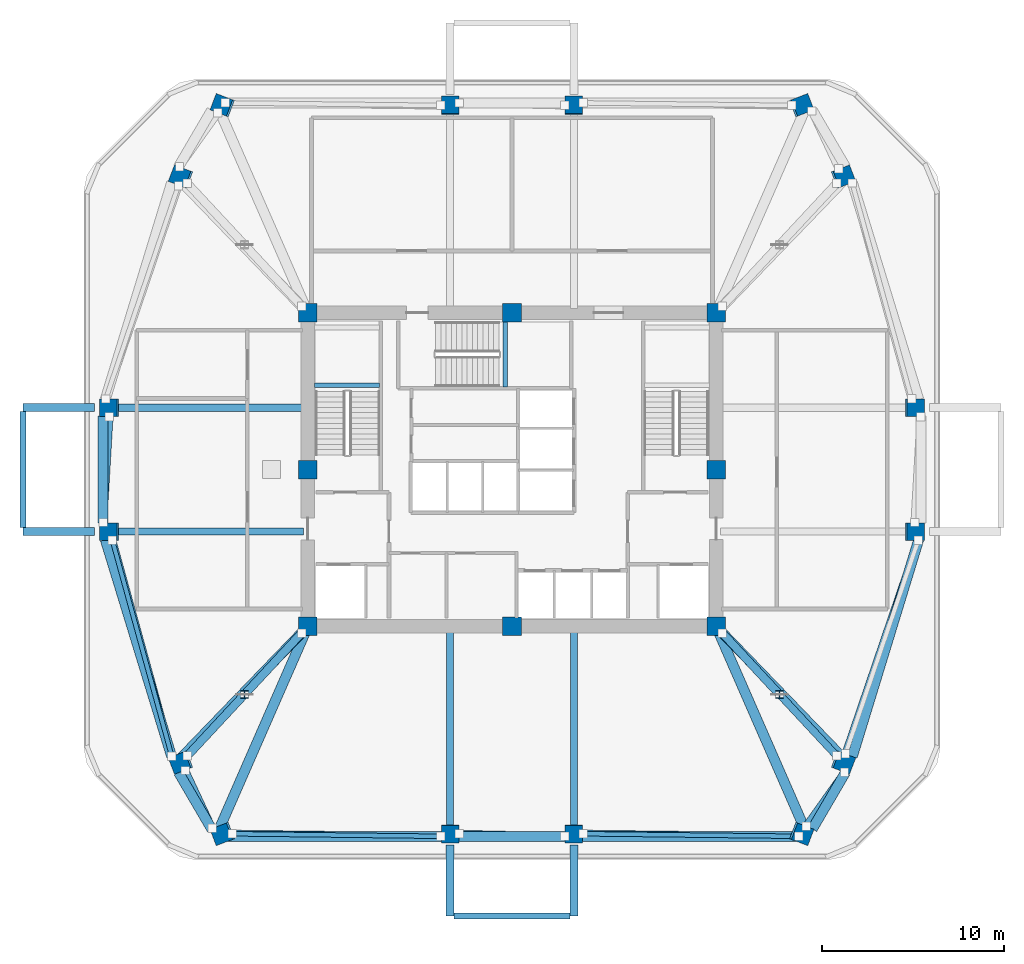
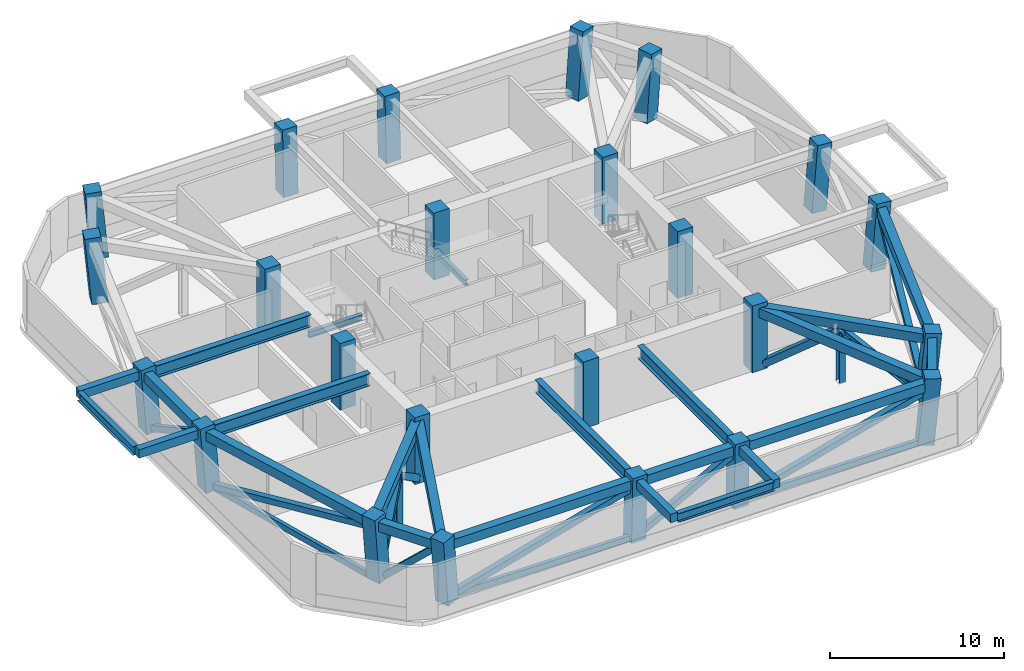
# One storey, part 1 of 8: 24 beams, 24 columns, 17 members.
"""IFC4 building model written with IfcOpenShell, lengths in metres."""

from ifc_helpers import new_model, si_unit, derived_unit, direction, frame, origin, origin_2d, place, context, subcontext, project, spatial, rectangle, hollow_rectangle, i_section, extrude, material, material_profile, profile_set, type_object, element, save


model = new_model("IFC4")

# Units and contexts
model_context = context("Model", 3, precision=1e-05, world=origin(), true_north=direction((0.0, 1.0)))
body_context = subcontext(model_context, "Body", "Model", "MODEL_VIEW")
ifc_project = project(units=[si_unit("LENGTHUNIT", "METRE"), si_unit("AREAUNIT", "SQUARE_METRE"), si_unit("VOLUMEUNIT", "CUBIC_METRE"), si_unit("PLANEANGLEUNIT", "RADIAN"), si_unit("MASSUNIT", "GRAM", prefix="KILO"), derived_unit("THERMALTRANSMITTANCEUNIT", [(si_unit("POWERUNIT", "WATT"), 1), (si_unit("LENGTHUNIT", "METRE"), -2), (si_unit("THERMODYNAMICTEMPERATUREUNIT", "KELVIN"), -1)])], contexts=[model_context])

# Site, building, storey
site_placement = place(None, origin())
site = spatial("IfcSite", under=ifc_project, at=site_placement, CompositionType="ELEMENT")
building_placement = place(site_placement, origin())
building = spatial("IfcBuilding", under=site, at=building_placement, Name="Koralith Skygarden Medical Center", CompositionType="ELEMENT")
storey_placement = place(building_placement, frame((0.0, 0.0, 178.02001953125)))
storey = spatial("IfcBuildingStorey", under=building, at=storey_placement, Name="L46", CompositionType="ELEMENT", Elevation=178.02001953125)

# Columns
ifc_material_1 = material(Name="Concrete C70/85", Category="concrete")
ifc_material_profile_1 = material_profile(ifc_material_1, rectangle(XDim=1.02001953125, YDim=1.02001953125, at=origin_2d()), Name="RC1020X1020")
ifc_profile_set_1 = profile_set([ifc_material_profile_1], Name="Concrete C70/85")
column_type_1 = type_object("IfcColumnType", Name="Core Mega-Column C70 RC1020", PredefinedType="COLUMN", material=ifc_profile_set_1)
for number, where, z_axis, x_axis, name in (
    (1, (25.800048828125, 17.300048828125, 0.0), (0.0, 0.0, 1.0), (1.0, 0.0, 0.0), "L46 Core Column CC-01"),
    (2, (37.0, 17.300048828125, 0.0), (0.0, 0.0, 1.0), (1.0, 0.0, 0.0), "L46 Core Column CC-02"),
    (3, (48.199951171875, 17.300048828125, 0.0), (0.0, 0.0, 1.0), (1.0, 0.0, 0.0), "L46 Core Column CC-03"),
    (4, (48.199951171875, 25.89990234375, 0.0), (0.0, 0.0, 1.0), (1.0, 0.0, 0.0), "L46 Core Column CC-04"),
    (5, (48.199951171875, 34.5, 0.0), (0.0, 0.0, 1.0), (1.0, 0.0, 0.0), "L46 Core Column CC-05"),
    (6, (37.0, 34.5, 0.0), (0.0, 0.0, 1.0), (1.0, 0.0, 0.0), "L46 Core Column CC-06"),
    (7, (25.800048828125, 34.5, 0.0), (0.0, 0.0, 1.0), (1.0, 0.0, 0.0), "L46 Core Column CC-07"),
    (8, (25.800048828125, 25.89990234375, 0.0), (0.0, 0.0, 1.0), (1.0, 0.0, 0.0), "L46 Core Column CC-08"),
):
    element("IfcColumn", number, at=place(storey_placement, frame(where, z_axis=z_axis, x_axis=x_axis)), inside=storey, type_object=column_type_1, Name=name, PredefinedType="COLUMN", context=body_context, shape_type="SweptSolid", body=[
        extrude(rectangle(XDim=1.02001953125, YDim=1.02001953125, at=origin_2d()), origin(), (0.0, 0.0, 1.0), 4.679931640625),
    ])
ifc_material_2 = material(Name="Concrete C55/67", Category="concrete")
ifc_material_profile_2 = material_profile(ifc_material_2, rectangle(XDim=0.9599609375, YDim=0.9599609375, at=origin_2d()), Name="RC960X960")
ifc_profile_set_2 = profile_set([ifc_material_profile_2], Name="Concrete C55/67")
column_type_2 = type_object("IfcColumnType", Name="Zone 3 Waist Mega-Column C55 RC960", PredefinedType="COLUMN", material=ifc_profile_set_2)
column_1_placement = place(storey_placement, frame((14.93603515625, 22.5, 0.02099609375), z_axis=(-0.084447490062, 0.0, 0.996427930872), x_axis=(0.0, -1.0, 0.0)))
element("IfcColumn", 9, at=column_1_placement, inside=storey, type_object=column_type_2, Name="L46 Perimeter Mega-Column MC-01", PredefinedType="COLUMN", context=body_context, shape_type="SweptSolid", body=[
    extrude(rectangle(XDim=0.9599609375, YDim=0.9599609375, at=origin_2d()), origin(), (0.0, 0.0, 1.0), 4.654541015625),
])
for number, where, z_axis, x_axis, name in (
    (10, (18.85595703125, 9.840087890625, 0.02099609375), (-0.084403587491, -0.03224112193, 0.995909907811), (0.356839671187, -0.934165643271, 0.0), "L46 Perimeter Mega-Column MC-02"),
    (11, (21.14794921875, 5.919921875, 0.02099609375), (-0.084403730037, -0.032188751704, 0.995911589761), (0.356333169812, -0.934358963189, 0.0), "L46 Perimeter Mega-Column MC-03"),
):
    element("IfcColumn", number, at=place(storey_placement, frame(where, z_axis=z_axis, x_axis=x_axis)), inside=storey, type_object=column_type_2, Name=name, PredefinedType="COLUMN", context=body_context, shape_type="SweptSolid", body=[
        extrude(rectangle(XDim=0.9599609375, YDim=0.9599609375, at=origin_2d()), origin(), (0.0, 0.0, 1.0), 4.656982421875),
    ])
for number, where, z_axis, x_axis, name in (
    (12, (33.60009765625, 5.919921875, 0.02099609375), (0.0, -0.032304024137, 0.999478088817), (1.0, 0.0, 0.0), "L46 Perimeter Mega-Column MC-04"),
    (13, (40.39990234375, 5.919921875, 0.02099609375), (0.0, -0.032304024137, 0.999478088817), (1.0, 0.0, 0.0), "L46 Perimeter Mega-Column MC-05"),
):
    element("IfcColumn", number, at=place(storey_placement, frame(where, z_axis=z_axis, x_axis=x_axis)), inside=storey, type_object=column_type_2, Name=name, PredefinedType="COLUMN", context=body_context, shape_type="SweptSolid", body=[
        extrude(rectangle(XDim=0.9599609375, YDim=0.9599609375, at=origin_2d()), origin(), (0.0, 0.0, 1.0), 4.640380859375),
    ])
for number, where, z_axis, x_axis, name in (
    (14, (52.85205078125, 5.919921875, 0.02099609375), (0.084403730037, -0.032188751704, 0.995911589761), (0.356333169812, 0.934358963189, 0.0), "L46 Perimeter Mega-Column MC-06"),
    (15, (55.14404296875, 9.840087890625, 0.02099609375), (0.084403587491, -0.03224112193, 0.995909907811), (0.356839671187, 0.934165643271, 0.0), "L46 Perimeter Mega-Column MC-07"),
):
    element("IfcColumn", number, at=place(storey_placement, frame(where, z_axis=z_axis, x_axis=x_axis)), inside=storey, type_object=column_type_2, Name=name, PredefinedType="COLUMN", context=body_context, shape_type="SweptSolid", body=[
        extrude(rectangle(XDim=0.9599609375, YDim=0.9599609375, at=origin_2d()), origin(), (0.0, 0.0, 1.0), 4.656982421875),
    ])
for number, where, z_axis, x_axis, name in (
    (16, (59.06396484375, 22.5, 0.02099609375), (0.084447490062, 0.0, 0.996427930872), (0.0, 1.0, 0.0), "L46 Perimeter Mega-Column MC-08"),
    (17, (59.06396484375, 29.300048828125, 0.02099609375), (0.084447490062, 0.0, 0.996427930872), (0.0, 1.0, 0.0), "L46 Perimeter Mega-Column MC-09"),
):
    element("IfcColumn", number, at=place(storey_placement, frame(where, z_axis=z_axis, x_axis=x_axis)), inside=storey, type_object=column_type_2, Name=name, PredefinedType="COLUMN", context=body_context, shape_type="SweptSolid", body=[
        extrude(rectangle(XDim=0.9599609375, YDim=0.9599609375, at=origin_2d()), origin(), (0.0, 0.0, 1.0), 4.654541015625),
    ])
for number, where, z_axis, x_axis, name in (
    (18, (55.14404296875, 41.9599609375, 0.02099609375), (0.084403587491, 0.03224112193, 0.995909907811), (-0.356839671187, 0.934165643271, 0.0), "L46 Perimeter Mega-Column MC-10"),
    (19, (52.85205078125, 45.8798828125, 0.02099609375), (0.084403587491, 0.03224112193, 0.995909907811), (-0.356839671187, 0.934165643271, 0.0), "L46 Perimeter Mega-Column MC-11"),
):
    element("IfcColumn", number, at=place(storey_placement, frame(where, z_axis=z_axis, x_axis=x_axis)), inside=storey, type_object=column_type_2, Name=name, PredefinedType="COLUMN", context=body_context, shape_type="SweptSolid", body=[
        extrude(rectangle(XDim=0.9599609375, YDim=0.9599609375, at=origin_2d()), origin(), (0.0, 0.0, 1.0), 4.656982421875),
    ])
for number, where, z_axis, x_axis, name in (
    (20, (40.39990234375, 45.8798828125, 0.02099609375), (0.0, 0.032356581517, 0.999476388732), (-1.0, 0.0, 0.0), "L46 Perimeter Mega-Column MC-12"),
    (21, (33.60009765625, 45.8798828125, 0.02099609375), (0.0, 0.032356581517, 0.999476388732), (-1.0, 0.0, 0.0), "L46 Perimeter Mega-Column MC-13"),
):
    element("IfcColumn", number, at=place(storey_placement, frame(where, z_axis=z_axis, x_axis=x_axis)), inside=storey, type_object=column_type_2, Name=name, PredefinedType="COLUMN", context=body_context, shape_type="SweptSolid", body=[
        extrude(rectangle(XDim=0.9599609375, YDim=0.9599609375, at=origin_2d()), origin(), (0.0, 0.0, 1.0), 4.640380859375),
    ])
for number, where, z_axis, x_axis, name in (
    (22, (21.14794921875, 45.8798828125, 0.02099609375), (-0.084403587491, 0.03224112193, 0.995909907811), (-0.356839671187, -0.934165643271, 0.0), "L46 Perimeter Mega-Column MC-14"),
    (23, (18.85595703125, 41.9599609375, 0.02099609375), (-0.084403587491, 0.03224112193, 0.995909907811), (-0.356839671187, -0.934165643271, 0.0), "L46 Perimeter Mega-Column MC-15"),
):
    element("IfcColumn", number, at=place(storey_placement, frame(where, z_axis=z_axis, x_axis=x_axis)), inside=storey, type_object=column_type_2, Name=name, PredefinedType="COLUMN", context=body_context, shape_type="SweptSolid", body=[
        extrude(rectangle(XDim=0.9599609375, YDim=0.9599609375, at=origin_2d()), origin(), (0.0, 0.0, 1.0), 4.656982421875),
    ])
column_2_placement = place(storey_placement, frame((14.93603515625, 29.300048828125, 0.02099609375), z_axis=(-0.084447490062, 0.0, 0.996427930872), x_axis=(0.0, -1.0, 0.0)))
element("IfcColumn", 24, at=column_2_placement, inside=storey, type_object=column_type_2, Name="L46 Perimeter Mega-Column MC-16", PredefinedType="COLUMN", context=body_context, shape_type="SweptSolid", body=[
    extrude(rectangle(XDim=0.9599609375, YDim=0.9599609375, at=origin_2d()), origin(), (0.0, 0.0, 1.0), 4.654541015625),
])

# Members
ifc_material_3 = material(Name="Steel ASTM A500 Grade C", Category="steel")
ifc_material_profile_3 = material_profile(ifc_material_3, hollow_rectangle(XDim=0.25, YDim=0.39990234375, WallThickness=0.01611328125, at=origin_2d()), Name="HSS400X250X16")
ifc_profile_set_3 = profile_set([ifc_material_profile_3], Name="Steel ASTM A500 Grade C")
member_type_1 = type_object("IfcMemberType", Name="Belt Truss Chord Member HSS400X250X16", PredefinedType="CHORD", material=ifc_profile_set_3)
member_1_placement = place(storey_placement, frame((15.069091796875, 22.01806640625, 0.219970703125), z_axis=(0.26541002166, -0.964135633821, 0.0), x_axis=(0.964135633821, 0.26541002166, 0.0)))
element("IfcMember", 25, at=member_1_placement, inside=storey, type_object=member_type_1, Name="L46 Belt Truss Bottom Chord BTC-01", PredefinedType="CHORD", context=body_context, shape_type="SweptSolid", body=[
    extrude(hollow_rectangle(XDim=0.25, YDim=0.39990234375, WallThickness=0.01611328125, at=origin_2d()), origin(), (0.0, 0.0, 1.0), 12.28662109375),
])
member_2_placement = place(storey_placement, frame((21.64794921875, 5.9140625, 0.219970703125), z_axis=(0.999927211694, -0.012065293805, 0.0), x_axis=(0.012065293805, 0.999927211694, 0.0)))
element("IfcMember", 26, at=member_2_placement, inside=storey, type_object=member_type_1, Name="L46 Belt Truss Bottom Chord BTC-03", PredefinedType="CHORD", context=body_context, shape_type="SweptSolid", body=[
    extrude(hollow_rectangle(XDim=0.25, YDim=0.39990234375, WallThickness=0.01611328125, at=origin_2d()), origin(), (0.0, 0.0, 1.0), 11.452880859375),
])
member_3_placement = place(storey_placement, frame((40.89990234375, 5.9140625, 0.219970703125), z_axis=(0.999931961808, -0.011664979809, 0.0), x_axis=(0.011664979809, 0.999931961808, 0.0)))
element("IfcMember", 27, at=member_3_placement, inside=storey, type_object=member_type_1, Name="L46 Belt Truss Bottom Chord BTC-05", PredefinedType="CHORD", context=body_context, shape_type="SweptSolid", body=[
    extrude(hollow_rectangle(XDim=0.25, YDim=0.39990234375, WallThickness=0.01611328125, at=origin_2d()), origin(), (0.0, 0.0, 1.0), 11.845947265625),
])
ifc_material_profile_4 = material_profile(ifc_material_3, hollow_rectangle(XDim=0.39990234375, YDim=0.39990234375, WallThickness=0.01806640625, at=origin_2d()), Name="HSS400X400X18")
ifc_profile_set_4 = profile_set([ifc_material_profile_4], Name="Steel ASTM A500 Grade C")
member_type_2 = type_object("IfcMemberType", Name="Belt Truss Diagonal HSS400X400X18", PredefinedType="BRACE", material=ifc_profile_set_4)
member_4_placement = place(storey_placement, frame((15.069091796875, 22.01806640625, 0.35009765625), z_axis=(0.25616910324, -0.93056682326, 0.261577479904), x_axis=(0.964135633821, 0.26541002166, 0.0)))
element("IfcMember", 28, at=member_4_placement, inside=storey, type_object=member_type_2, Name="L46 Perimeter Belt Truss Diagonal BTD-01", PredefinedType="BRACE", context=body_context, shape_type="SweptSolid", body=[
    extrude(hollow_rectangle(XDim=0.39990234375, YDim=0.39990234375, WallThickness=0.01806640625, at=origin_2d()), origin(), (0.0, 0.0, 1.0), 12.729736328125),
])
member_5_placement = place(storey_placement, frame((19.06689453125, 9.386962890625, 0.35009765625), z_axis=(0.306123594604, -0.655762278688, 0.690118959801), x_axis=(0.906129546389, 0.423000289788, 0.0)))
element("IfcMember", 29, at=member_5_placement, inside=storey, type_object=member_type_2, Name="L46 Perimeter Belt Truss Diagonal BTD-02", PredefinedType="BRACE", context=body_context, shape_type="SweptSolid", body=[
    extrude(hollow_rectangle(XDim=0.39990234375, YDim=0.39990234375, WallThickness=0.01806640625, at=origin_2d()), origin(), (0.0, 0.0, 1.0), 4.824951171875),
])
member_6_placement = place(storey_placement, frame((21.64794921875, 5.9140625, 0.35009765625), z_axis=(0.96016907498, -0.011585565286, 0.279179372679), x_axis=(0.012065293805, 0.999927211694, 0.0)))
element("IfcMember", 30, at=member_6_placement, inside=storey, type_object=member_type_2, Name="L46 Perimeter Belt Truss Diagonal BTD-03", PredefinedType="BRACE", context=body_context, shape_type="SweptSolid", body=[
    extrude(hollow_rectangle(XDim=0.39990234375, YDim=0.39990234375, WallThickness=0.01806640625, at=origin_2d()), origin(), (0.0, 0.0, 1.0), 11.92724609375),
])
member_7_placement = place(storey_placement, frame((34.10009765625, 5.908935546875, 0.35009765625), z_axis=(0.867074037643, -0.019125559679, 0.497812039039), x_axis=(0.022052221493, 0.999756820195, 0.0)))
element("IfcMember", 31, at=member_7_placement, inside=storey, type_object=member_type_2, Name="L46 Perimeter Belt Truss Diagonal BTD-04", PredefinedType="BRACE", context=body_context, shape_type="SweptSolid", body=[
    extrude(hollow_rectangle(XDim=0.39990234375, YDim=0.39990234375, WallThickness=0.01806640625, at=origin_2d()), origin(), (0.0, 0.0, 1.0), 6.68896484375),
])
member_8_placement = place(storey_placement, frame((40.89990234375, 5.9140625, 0.35009765625), z_axis=(0.962624813443, -0.011229763065, 0.270605544964), x_axis=(0.011664979809, 0.999931961808, 0.0)))
element("IfcMember", 32, at=member_8_placement, inside=storey, type_object=member_type_2, Name="L46 Perimeter Belt Truss Diagonal BTD-05", PredefinedType="BRACE", context=body_context, shape_type="SweptSolid", body=[
    extrude(hollow_rectangle(XDim=0.39990234375, YDim=0.39990234375, WallThickness=0.01806640625, at=origin_2d()), origin(), (0.0, 0.0, 1.0), 12.30517578125),
])
member_9_placement = place(storey_placement, frame((53.14208984375, 6.326904296875, 0.35009765625), z_axis=(0.427395119137, 0.60019718192, 0.676089309894), x_axis=(-0.814578106263, 0.580053884391, 0.0)))
element("IfcMember", 33, at=member_9_placement, inside=storey, type_object=member_type_2, Name="L46 Perimeter Belt Truss Diagonal BTD-06", PredefinedType="BRACE", context=body_context, shape_type="SweptSolid", body=[
    extrude(hollow_rectangle(XDim=0.39990234375, YDim=0.39990234375, WallThickness=0.01806640625, at=origin_2d()), origin(), (0.0, 0.0, 1.0), 4.925048828125),
])
member_10_placement = place(storey_placement, frame((55.304931640625, 10.31298828125, 0.35009765625), z_axis=(0.311418146718, 0.914060934587, 0.259829455135), x_axis=(-0.946571381953, 0.322494370288, 0.0)))
element("IfcMember", 34, at=member_10_placement, inside=storey, type_object=member_type_2, Name="L46 Perimeter Belt Truss Diagonal BTD-07", PredefinedType="BRACE", context=body_context, shape_type="SweptSolid", body=[
    extrude(hollow_rectangle(XDim=0.39990234375, YDim=0.39990234375, WallThickness=0.01806640625, at=origin_2d()), origin(), (0.0, 0.0, 1.0), 12.8154296875),
])
member_11_placement = place(storey_placement, frame((14.906982421875, 28.801025390625, 0.35009765625), z_axis=(-0.050009089027, -0.866228863503, 0.497138458629), x_axis=(0.998337664713, -0.057635988891, 0.0)))
element("IfcMember", 35, at=member_11_placement, inside=storey, type_object=member_type_2, Name="L46 Perimeter Belt Truss Diagonal BTD-16", PredefinedType="BRACE", context=body_context, shape_type="SweptSolid", body=[
    extrude(hollow_rectangle(XDim=0.39990234375, YDim=0.39990234375, WallThickness=0.01806640625, at=origin_2d()), origin(), (0.0, 0.0, 1.0), 6.697998046875),
])

# Beams
ifc_material_4 = material(Name="Steel ASTM A992 Grade 50", Category="steel")
ifc_material_profile_5 = material_profile(ifc_material_4, i_section(OverallWidth=0.326904296875, OverallDepth=0.6220703125, WebThickness=0.015380859375, FlangeThickness=0.0244140625, at=origin_2d()), Name="W24X131")
ifc_profile_set_5 = profile_set([ifc_material_profile_5], Name="Steel ASTM A992 Grade 50")
beam_type_1 = type_object("IfcBeamType", Name="Cantilever Tie Beam W24X131", PredefinedType="BEAM", material=ifc_profile_set_5)
beam_1_placement = place(storey_placement, frame((33.820068359375, 1.389892578125, 4.10888671875), z_axis=(1.0, 0.0, 0.0), x_axis=(0.0, 1.0, 0.0)))
element("IfcBeam", 36, at=beam_1_placement, inside=storey, type_object=beam_type_1, Name="L47 S Balcony Tip Tie Beam", PredefinedType="BEAM", context=body_context, shape_type="SweptSolid", body=[
    extrude(i_section(OverallWidth=0.326904296875, OverallDepth=0.6220703125, WebThickness=0.015380859375, FlangeThickness=0.0244140625, at=origin_2d()), origin(), (0.0, 0.0, 1.0), 6.35986328125),
])
beam_2_placement = place(storey_placement, frame((10.1630859375, 22.719970703125, 4.10888671875), z_axis=(0.0, 1.0, 0.0), x_axis=(-1.0, 0.0, 0.0)))
element("IfcBeam", 37, at=beam_2_placement, inside=storey, type_object=beam_type_1, Name="L47 W Balcony Tip Tie Beam", PredefinedType="BEAM", context=body_context, shape_type="SweptSolid", body=[
    extrude(i_section(OverallWidth=0.326904296875, OverallDepth=0.6220703125, WebThickness=0.015380859375, FlangeThickness=0.0244140625, at=origin_2d()), origin(), (0.0, 0.0, 1.0), 6.360107421875),
])
ifc_material_profile_6 = material_profile(ifc_material_4, i_section(OverallWidth=0.260009765625, OverallDepth=0.4150390625, WebThickness=0.010009765625, FlangeThickness=0.016845703125, at=origin_2d()), Name="W16X67")
ifc_profile_set_6 = profile_set([ifc_material_profile_6], Name="Steel ASTM A992 Grade 50")
beam_type_2 = type_object("IfcBeamType", Name="Clinical Floor Joist W16X67", PredefinedType="JOIST", material=ifc_profile_set_6)
beam_3_placement = place(storey_placement, frame((26.155029296875, 30.530029296875, 1.932861328125), z_axis=(1.0, 0.0, 0.0), x_axis=(0.0, 1.0, 0.0)))
element("IfcBeam", 38, at=beam_3_placement, inside=storey, type_object=beam_type_2, Name="L46 Stair ST1 Half-Landing Support Beam 1A", PredefinedType="JOIST", context=body_context, shape_type="SweptSolid", body=[
    extrude(i_section(OverallWidth=0.260009765625, OverallDepth=0.4150390625, WebThickness=0.010009765625, FlangeThickness=0.016845703125, at=origin_2d()), origin(), (0.0, 0.0, 1.0), 3.56494140625),
])
beam_4_placement = place(storey_placement, frame((36.6298828125, 30.43994140625, 1.932861328125), z_axis=(0.0, 1.0, 0.0), x_axis=(-1.0, 0.0, 0.0)))
element("IfcBeam", 39, at=beam_4_placement, inside=storey, type_object=beam_type_2, Name="L46 Stair ST3 Half-Landing Support Beam 1A", PredefinedType="JOIST", context=body_context, shape_type="SweptSolid", body=[
    extrude(i_section(OverallWidth=0.260009765625, OverallDepth=0.4150390625, WebThickness=0.010009765625, FlangeThickness=0.016845703125, at=origin_2d()), origin(), (0.0, 0.0, 1.0), 3.705078125),
])
ifc_material_profile_7 = material_profile(ifc_material_4, i_section(OverallWidth=0.39990234375, OverallDepth=0.862060546875, WebThickness=0.019775390625, FlangeThickness=0.032470703125, at=origin_2d()), Name="W33X221")
ifc_profile_set_7 = profile_set([ifc_material_profile_7], Name="Steel ASTM A992 Grade 50")
beam_type_3 = type_object("IfcBeamType", Name="Outrigger Chord Girder W33X221", PredefinedType="BEAM", material=ifc_profile_set_7)
beam_5_placement = place(storey_placement, frame((25.550048828125, 22.5, 3.948974609375), z_axis=(-1.0, 0.0, 0.0), x_axis=(0.0, -1.0, 0.0)))
element("IfcBeam", 40, at=beam_5_placement, inside=storey, type_object=beam_type_3, Name="L46 Radial Collector Beam RB-01", PredefinedType="BEAM", context=body_context, shape_type="SweptSolid", body=[
    extrude(i_section(OverallWidth=0.39990234375, OverallDepth=0.862060546875, WebThickness=0.019775390625, FlangeThickness=0.032470703125, at=origin_2d()), origin(), (0.0, 0.0, 1.0), 10.537109375),
])
for number, where, z_axis, x_axis, name in (
    (41, (33.60009765625, 17.050048828125, 3.948974609375), (0.0, -1.0, 0.0), (1.0, 0.0, 0.0), "L46 Radial Collector Beam RB-04"),
    (42, (40.39990234375, 17.050048828125, 3.948974609375), (0.0, -1.0, 0.0), (1.0, 0.0, 0.0), "L46 Radial Collector Beam RB-05"),
):
    element("IfcBeam", number, at=place(storey_placement, frame(where, z_axis=z_axis, x_axis=x_axis)), inside=storey, type_object=beam_type_3, Name=name, PredefinedType="BEAM", context=body_context, shape_type="SweptSolid", body=[
        extrude(i_section(OverallWidth=0.39990234375, OverallDepth=0.862060546875, WebThickness=0.019775390625, FlangeThickness=0.032470703125, at=origin_2d()), origin(), (0.0, 0.0, 1.0), 10.81005859375),
    ])
beam_6_placement = place(storey_placement, frame((25.550048828125, 29.300048828125, 3.948974609375), z_axis=(-1.0, 0.0, 0.0), x_axis=(0.0, -1.0, 0.0)))
element("IfcBeam", 43, at=beam_6_placement, inside=storey, type_object=beam_type_3, Name="L46 Radial Collector Beam RB-16", PredefinedType="BEAM", context=body_context, shape_type="SweptSolid", body=[
    extrude(i_section(OverallWidth=0.39990234375, OverallDepth=0.862060546875, WebThickness=0.019775390625, FlangeThickness=0.032470703125, at=origin_2d()), origin(), (0.0, 0.0, 1.0), 10.537109375),
])

# Members
ifc_material_profile_8 = material_profile(ifc_material_4, i_section(OverallWidth=0.39794921875, OverallDepth=0.386962890625, WebThickness=0.017578125, FlangeThickness=0.028076171875, at=origin_2d()), Name="W14X176")
ifc_profile_set_8 = profile_set([ifc_material_profile_8], Name="Steel ASTM A992 Grade 50")
member_type_3 = type_object("IfcMemberType", Name="Outrigger Secondary Strut W14X176", PredefinedType="BRACE", material=ifc_profile_set_8)
member_12_placement = place(storey_placement, frame((51.681884765625, 13.55908203125, 3.679931640625), z_axis=(0.5519536533, -0.593003083944, -0.586254643514), x_axis=(0.731987951071, 0.681317576088, 0.0)))
element("IfcMember", 44, at=member_12_placement, inside=storey, type_object=member_type_3, Name="L46 Outrigger Secondary Strut ORS-04B", PredefinedType="BRACE", context=body_context, shape_type="SweptSolid", body=[
    extrude(i_section(OverallWidth=0.39794921875, OverallDepth=0.386962890625, WebThickness=0.017578125, FlangeThickness=0.028076171875, at=origin_2d()), origin(), (0.0, 0.0, 1.0), 5.679931640625),
])
ifc_material_profile_9 = material_profile(ifc_material_3, hollow_rectangle(XDim=0.449951171875, YDim=0.449951171875, WallThickness=0.02001953125, at=origin_2d()), Name="HSS450X450X20")
ifc_profile_set_9 = profile_set([ifc_material_profile_9], Name="Steel ASTM A500 Grade C")
member_type_4 = type_object("IfcMemberType", Name="Outrigger Upper Diagonal HSS450X450X20", PredefinedType="BRACE", material=ifc_profile_set_9)
member_13_placement = place(storey_placement, frame((25.452880859375, 16.927001953125, 0.35009765625), z_axis=(-0.551937832582, -0.592989283525, 0.586283496774), x_axis=(0.731989782907, -0.681315608012, 0.0)))
element("IfcMember", 45, at=member_13_placement, inside=storey, type_object=member_type_4, Name="L46 Outrigger Truss Diagonal ORD-03A", PredefinedType="BRACE", context=body_context, shape_type="SweptSolid", body=[
    extrude(hollow_rectangle(XDim=0.449951171875, YDim=0.449951171875, WallThickness=0.02001953125, at=origin_2d()), origin(), (0.0, 0.0, 1.0), 5.679443359375),
])
member_14_placement = place(storey_placement, frame((22.318115234375, 13.55908203125, 3.679931640625), z_axis=(-0.5519536533, -0.593003083944, -0.586254643514), x_axis=(0.731987951071, -0.681317576088, 0.0)))
element("IfcMember", 46, at=member_14_placement, inside=storey, type_object=member_type_4, Name="L46 Outrigger Truss Diagonal ORD-03B", PredefinedType="BRACE", context=body_context, shape_type="SweptSolid", body=[
    extrude(hollow_rectangle(XDim=0.449951171875, YDim=0.449951171875, WallThickness=0.02001953125, at=origin_2d()), origin(), (0.0, 0.0, 1.0), 5.679931640625),
])
member_15_placement = place(storey_placement, frame((48.547119140625, 16.927001953125, 0.35009765625), z_axis=(0.551937832582, -0.592989283525, 0.586283496774), x_axis=(0.731989782907, 0.681315608012, 0.0)))
element("IfcMember", 47, at=member_15_placement, inside=storey, type_object=member_type_4, Name="L46 Outrigger Truss Diagonal ORD-04A", PredefinedType="BRACE", context=body_context, shape_type="SweptSolid", body=[
    extrude(hollow_rectangle(XDim=0.449951171875, YDim=0.449951171875, WallThickness=0.02001953125, at=origin_2d()), origin(), (0.0, 0.0, 1.0), 5.679443359375),
])
ifc_material_profile_10 = material_profile(ifc_material_4, i_section(OverallWidth=0.406005859375, OverallDepth=0.416015625, WebThickness=0.02490234375, FlangeThickness=0.0400390625, at=origin_2d()), Name="W14X257")
ifc_profile_set_10 = profile_set([ifc_material_profile_10], Name="Steel ASTM A992 Grade 50")
member_type_5 = type_object("IfcMemberType", Name="Outrigger Web Strut Post W14X257", PredefinedType="POST", material=ifc_profile_set_10)
for number, where, z_axis, x_axis, name in (
    (48, (22.318115234375, 13.55908203125, 0.0), (0.0, 0.0, 1.0), (1.0, 0.0, 0.0), "L46 Outrigger Truss Web Post ORP-03"),
    (49, (51.681884765625, 13.55908203125, 0.0), (0.0, 0.0, 1.0), (1.0, 0.0, 0.0), "L46 Outrigger Truss Web Post ORP-04"),
):
    element("IfcMember", number, at=place(storey_placement, frame(where, z_axis=z_axis, x_axis=x_axis)), inside=storey, type_object=member_type_5, Name=name, PredefinedType="POST", context=body_context, shape_type="SweptSolid", body=[
        extrude(i_section(OverallWidth=0.406005859375, OverallDepth=0.416015625, WebThickness=0.02490234375, FlangeThickness=0.0400390625, at=origin_2d()), origin(), (0.0, 0.0, 1.0), 3.679931640625),
    ])

# Beams
ifc_material_5 = material(Name="Concrete C45/55", Category="concrete")
ifc_material_profile_11 = material_profile(ifc_material_5, rectangle(XDim=0.449951171875, YDim=0.60009765625, at=origin_2d()), Name="RCB450X600")
ifc_profile_set_11 = profile_set([ifc_material_profile_11], Name="Concrete C45/55")
beam_type_4 = type_object("IfcBeamType", Name="Planted Balcony Cantilever Beam RCB450X600", PredefinedType="BEAM", material=ifc_profile_set_11)
for number, where, z_axis, x_axis, name in (
    (50, (33.60009765625, 5.31005859375, 4.119873046875), (0.0, -1.0, 0.0), (1.0, 0.0, 0.0), "L47 S Balcony Cantilever Beam A"),
    (51, (40.39990234375, 5.31005859375, 4.119873046875), (0.0, -1.0, 0.0), (1.0, 0.0, 0.0), "L47 S Balcony Cantilever Beam B"),
):
    element("IfcBeam", number, at=place(storey_placement, frame(where, z_axis=z_axis, x_axis=x_axis)), inside=storey, type_object=beam_type_4, Name=name, PredefinedType="BEAM", context=body_context, shape_type="SweptSolid", body=[
        extrude(rectangle(XDim=0.449951171875, YDim=0.60009765625, at=origin_2d()), origin(), (0.0, 0.0, 1.0), 3.920166015625),
    ])
for number, where, z_axis, x_axis, name in (
    (52, (14.0830078125, 22.5, 4.119873046875), (-1.0, 0.0, 0.0), (0.0, -1.0, 0.0), "L47 W Balcony Cantilever Beam A"),
    (53, (14.0830078125, 29.300048828125, 4.119873046875), (-1.0, 0.0, 0.0), (0.0, -1.0, 0.0), "L47 W Balcony Cantilever Beam B"),
):
    element("IfcBeam", number, at=place(storey_placement, frame(where, z_axis=z_axis, x_axis=x_axis)), inside=storey, type_object=beam_type_4, Name=name, PredefinedType="BEAM", context=body_context, shape_type="SweptSolid", body=[
        extrude(rectangle(XDim=0.449951171875, YDim=0.60009765625, at=origin_2d()), origin(), (0.0, 0.0, 1.0), 3.919921875),
    ])
ifc_material_profile_12 = material_profile(ifc_material_5, rectangle(XDim=0.550048828125, YDim=0.639892578125, at=origin_2d()), Name="RCB550X640")
ifc_profile_set_12 = profile_set([ifc_material_profile_12], Name="Concrete C45/55")
beam_type_5 = type_object("IfcBeamType", Name="Radial Collector Beam RCB550X640", PredefinedType="BEAM", material=ifc_profile_set_12)
beam_7_placement = place(storey_placement, frame((25.6259765625, 17.1201171875, 4.06005859375), z_axis=(-0.694038788854, -0.719937608107, 0.0), x_axis=(0.719937608107, -0.694038788854, 0.0)))
element("IfcBeam", 54, at=beam_7_placement, inside=storey, type_object=beam_type_5, Name="L46 Radial Collector Beam RB-02", PredefinedType="BEAM", context=body_context, shape_type="SweptSolid", body=[
    extrude(rectangle(XDim=0.550048828125, YDim=0.639892578125, at=origin_2d()), origin(), (0.0, 0.0, 1.0), 9.850830078125),
])
for number, where, z_axis, x_axis, name in (
    (55, (25.699951171875, 17.071044921875, 4.06005859375), (-0.400900866171, -0.91612144146, 0.0), (0.91612144146, -0.400900866171, 0.0), "L46 Radial Collector Beam RB-03"),
    (56, (48.300048828125, 17.071044921875, 4.06005859375), (0.400900866171, -0.91612144146, 0.0), (0.91612144146, 0.400900866171, 0.0), "L46 Radial Collector Beam RB-06"),
):
    element("IfcBeam", number, at=place(storey_placement, frame(where, z_axis=z_axis, x_axis=x_axis)), inside=storey, type_object=beam_type_5, Name=name, PredefinedType="BEAM", context=body_context, shape_type="SweptSolid", body=[
        extrude(rectangle(XDim=0.550048828125, YDim=0.639892578125, at=origin_2d()), origin(), (0.0, 0.0, 1.0), 11.865478515625),
    ])
beam_8_placement = place(storey_placement, frame((48.3740234375, 17.1201171875, 4.06005859375), z_axis=(0.694038788854, -0.719937608107, 0.0), x_axis=(0.719937608107, 0.694038788854, 0.0)))
element("IfcBeam", 57, at=beam_8_placement, inside=storey, type_object=beam_type_5, Name="L46 Radial Collector Beam RB-07", PredefinedType="BEAM", context=body_context, shape_type="SweptSolid", body=[
    extrude(rectangle(XDim=0.550048828125, YDim=0.639892578125, at=origin_2d()), origin(), (0.0, 0.0, 1.0), 9.850830078125),
])
ifc_material_profile_13 = material_profile(ifc_material_5, rectangle(XDim=0.550048828125, YDim=0.639892578125, at=origin_2d()), Name="RCB550X640")
ifc_profile_set_13 = profile_set([ifc_material_profile_13], Name="Concrete C45/55")
beam_type_6 = type_object("IfcBeamType", Name="Zone 2-3 Spandrel Beam RCB550X640", PredefinedType="SPANDREL", material=ifc_profile_set_13)
beam_9_placement = place(storey_placement, frame((14.680908203125, 22.051025390625, 4.06005859375), z_axis=(0.292529221469, -0.956256584075, 0.0), x_axis=(0.956256584075, 0.292529221469, 0.0)))
element("IfcBeam", 58, at=beam_9_placement, inside=storey, type_object=beam_type_6, Name="L46 Perimeter Spandrel Beam SP-01", PredefinedType="SPANDREL", context=body_context, shape_type="SweptSolid", body=[
    extrude(rectangle(XDim=0.550048828125, YDim=0.639892578125, at=origin_2d()), origin(), (0.0, 0.0, 1.0), 12.45703125),
])
beam_10_placement = place(storey_placement, frame((18.699951171875, 9.283935546875, 4.06005859375), z_axis=(0.504941460453, -0.863153590918, 0.0), x_axis=(0.863153590918, 0.504941460453, 0.0)))
element("IfcBeam", 59, at=beam_10_placement, inside=storey, type_object=beam_type_6, Name="L46 Perimeter Spandrel Beam SP-02", PredefinedType="SPANDREL", context=body_context, shape_type="SweptSolid", body=[
    extrude(rectangle(XDim=0.550048828125, YDim=0.639892578125, at=origin_2d()), origin(), (0.0, 0.0, 1.0), 3.6005859375),
])
beam_11_placement = place(storey_placement, frame((21.22509765625, 5.77001953125, 4.06005859375), z_axis=(1.0, 0.0, 0.0), x_axis=(0.0, 1.0, 0.0)))
element("IfcBeam", 60, at=beam_11_placement, inside=storey, type_object=beam_type_6, Name="L46 Perimeter Spandrel Beam SP-03", PredefinedType="SPANDREL", context=body_context, shape_type="SweptSolid", body=[
    extrude(rectangle(XDim=0.550048828125, YDim=0.639892578125, at=origin_2d()), origin(), (0.0, 0.0, 1.0), 11.90478515625),
])
beam_12_placement = place(storey_placement, frame((34.070068359375, 5.77001953125, 4.06005859375), z_axis=(1.0, 0.0, 0.0), x_axis=(0.0, 1.0, 0.0)))
element("IfcBeam", 61, at=beam_12_placement, inside=storey, type_object=beam_type_6, Name="L46 Perimeter Spandrel Beam SP-04", PredefinedType="SPANDREL", context=body_context, shape_type="SweptSolid", body=[
    extrude(rectangle(XDim=0.550048828125, YDim=0.639892578125, at=origin_2d()), origin(), (0.0, 0.0, 1.0), 5.85986328125),
])
beam_13_placement = place(storey_placement, frame((40.8701171875, 5.77001953125, 4.06005859375), z_axis=(1.0, 0.0, 0.0), x_axis=(0.0, 1.0, 0.0)))
element("IfcBeam", 62, at=beam_13_placement, inside=storey, type_object=beam_type_6, Name="L46 Perimeter Spandrel Beam SP-05", PredefinedType="SPANDREL", context=body_context, shape_type="SweptSolid", body=[
    extrude(rectangle(XDim=0.550048828125, YDim=0.639892578125, at=origin_2d()), origin(), (0.0, 0.0, 1.0), 11.90478515625),
])
beam_14_placement = place(storey_placement, frame((53.48193359375, 6.176025390625, 4.06005859375), z_axis=(0.504941460453, 0.863153590918, 0.0), x_axis=(-0.863153590918, 0.504941460453, 0.0)))
element("IfcBeam", 63, at=beam_14_placement, inside=storey, type_object=beam_type_6, Name="L46 Perimeter Spandrel Beam SP-06", PredefinedType="SPANDREL", context=body_context, shape_type="SweptSolid", body=[
    extrude(rectangle(XDim=0.550048828125, YDim=0.639892578125, at=origin_2d()), origin(), (0.0, 0.0, 1.0), 3.6005859375),
])
beam_15_placement = place(storey_placement, frame((55.675048828125, 10.138916015625, 4.06005859375), z_axis=(0.292529221469, 0.956256584075, 0.0), x_axis=(-0.956256584075, 0.292529221469, 0.0)))
element("IfcBeam", 64, at=beam_15_placement, inside=storey, type_object=beam_type_6, Name="L46 Perimeter Spandrel Beam SP-07", PredefinedType="SPANDREL", context=body_context, shape_type="SweptSolid", body=[
    extrude(rectangle(XDim=0.550048828125, YDim=0.639892578125, at=origin_2d()), origin(), (0.0, 0.0, 1.0), 12.45703125),
])
beam_16_placement = place(storey_placement, frame((14.54296875, 28.830078125, 4.06005859375), z_axis=(0.0, -1.0, 0.0), x_axis=(1.0, 0.0, 0.0)))
element("IfcBeam", 65, at=beam_16_placement, inside=storey, type_object=beam_type_6, Name="L46 Perimeter Spandrel Beam SP-16", PredefinedType="SPANDREL", context=body_context, shape_type="SweptSolid", body=[
    extrude(rectangle(XDim=0.550048828125, YDim=0.639892578125, at=origin_2d()), origin(), (0.0, 0.0, 1.0), 5.860107421875),
])

save(model, "model.ifc")
